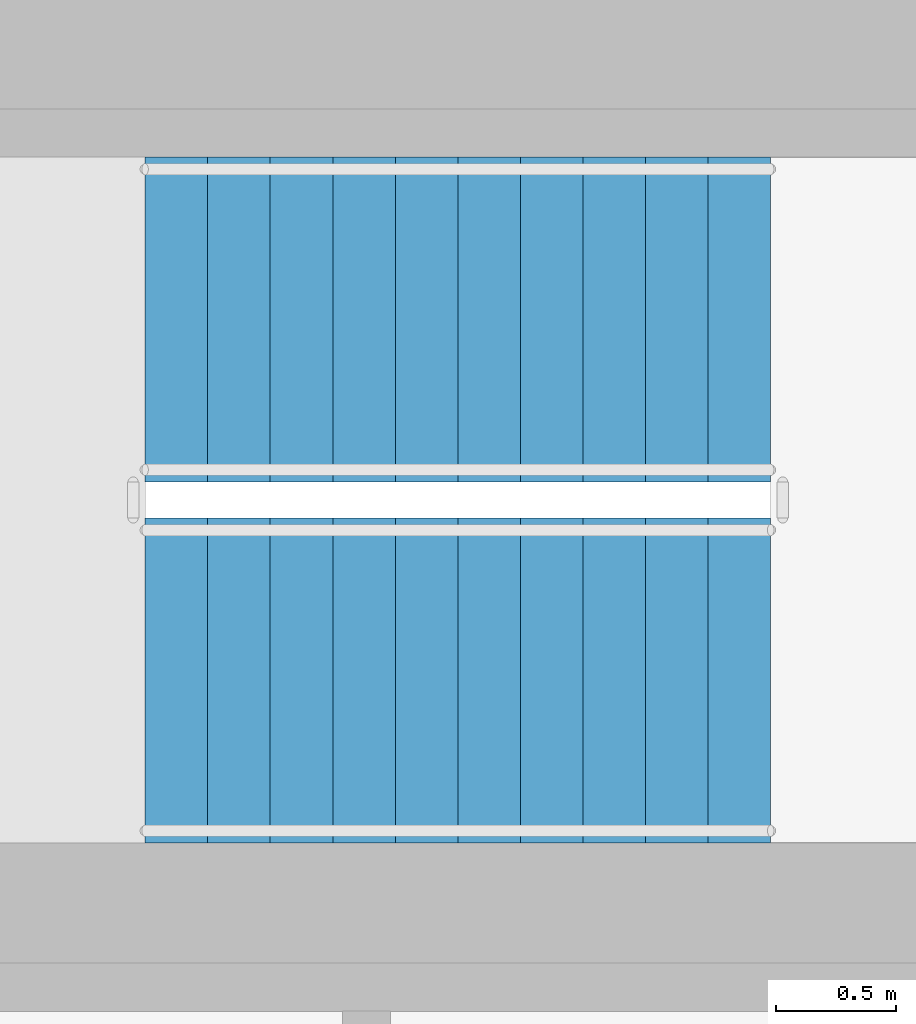
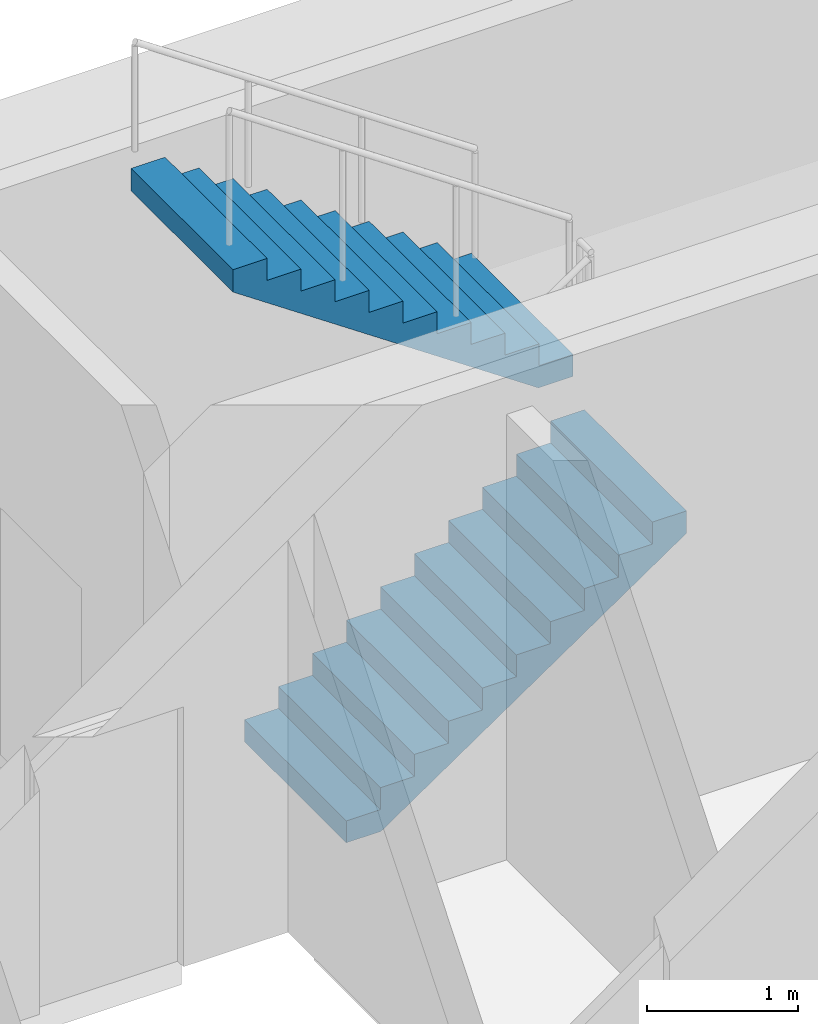
# One storey, part 7 of 9: 2 stair flights, 1 element without a shape of its own.
"""IFC4 building model written with IfcOpenShell, lengths in metres."""

from ifc_helpers import new_model, si_unit, direction, frame, origin, place, context, subcontext, project, spatial, polyline, outline, extrude, material, layer, layer_set, type_object, element, aggregate, save


model = new_model("IFC4")

# Units and contexts
model_context = context("Model", 3, precision=1e-05, world=origin(), true_north=direction((0.0, 1.0)))
body_context = subcontext(model_context, "Body", "Model", "MODEL_VIEW")
ifc_project = project(units=[si_unit("LENGTHUNIT", "METRE"), si_unit("AREAUNIT", "SQUARE_METRE"), si_unit("VOLUMEUNIT", "CUBIC_METRE"), si_unit("PLANEANGLEUNIT", "RADIAN"), si_unit("MASSUNIT", "GRAM", prefix="KILO")], contexts=[model_context])

# Site, building, storey
site_placement = place(None, origin())
site = spatial("IfcSite", under=ifc_project, at=site_placement, CompositionType="ELEMENT")
building_placement = place(site_placement, origin())
building = spatial("IfcBuilding", under=site, at=building_placement, Name="White Candle Pilgrim Tower", CompositionType="ELEMENT")
storey_placement = place(building_placement, frame((0.0, 0.0, 252.199951171875)))
storey = spatial("IfcBuildingStorey", under=building, at=storey_placement, Name="L59", CompositionType="ELEMENT", Elevation=252.199951171875)

# Stair, stair flights
ifc_material = material(Name="Concrete C40/50", Category="concrete")
stair_type = type_object("IfcStairType", Name="Exit stair 3 flight width 1350 mm", PredefinedType="HALF_TURN_STAIR", material=ifc_material)
stair_placement = place(storey_placement, origin())
stair = element("IfcStair", 1, at=stair_placement, inside=storey, type_object=stair_type, Name="L59 stair 3", PredefinedType="NOTDEFINED")
ifc_layer = layer(ifc_material, 0.14990234375)
ifc_layer_set = layer_set([ifc_layer], Name="Stair flight Concrete C40/50")
stair_flight_type = type_object("IfcStairFlightType", Name="Stair flight Concrete C40/50", PredefinedType="STRAIGHT", material=ifc_layer_set)
stair_flight_1_placement = place(storey_placement, frame((69.39990234375, 84.925048828125, 0.0), z_axis=(0.0, 0.0, 1.0), x_axis=(1.0, 0.0, 0.0)))
stair_flight_1 = element("IfcStairFlight", 2, at=stair_flight_1_placement, type_object=stair_flight_type, Name="ST3 flight 1", NumberOfRisers=11, NumberOfTreads=10, PredefinedType="NOTDEFINED", RiserHeight=0.177272727, TreadLength=0.26, context=body_context, shape_type="SweptSolid", body=[
    extrude(outline(polyline([(0.0, 0.0), (0.0, 0.17724609375), (0.260009765625, 0.17724609375), (0.260009765625, 0.3544921875), (0.52001953125, 0.3544921875), (0.52001953125, 0.53173828125), (0.780029296875, 0.53173828125), (0.780029296875, 0.708984375), (1.0400390625, 0.708984375), (1.0400390625, 0.886474609375), (1.300048828125, 0.886474609375), (1.300048828125, 1.063720703125), (1.56005859375, 1.063720703125), (1.56005859375, 1.240966796875), (1.820068359375, 1.240966796875), (1.820068359375, 1.418212890625), (2.080078125, 1.418212890625), (2.080078125, 1.595458984375), (2.340087890625, 1.595458984375), (2.340087890625, 1.772705078125), (2.60009765625, 1.772705078125), (2.60009765625, 1.949951171875), (2.60009765625, 1.59130859375), (0.26611328125, 0.0), (0.0, 0.0)])), frame((0.0, 0.675048828125, 0.0), z_axis=(0.0, -1.0, 0.0), x_axis=(1.0, 0.0, 0.0)), (0.0, 0.0, 1.0), 1.35009765625),
])
stair_flight_2_placement = place(storey_placement, frame((72.0, 86.425048828125, 1.949951171875), z_axis=(0.0, 0.0, 1.0), x_axis=(-1.0, 0.0, 0.0)))
stair_flight_2 = element("IfcStairFlight", 3, at=stair_flight_2_placement, type_object=stair_flight_type, Name="ST3 flight 2", NumberOfRisers=11, NumberOfTreads=10, PredefinedType="NOTDEFINED", RiserHeight=0.177272727, TreadLength=0.26, context=body_context, shape_type="SweptSolid", body=[
    extrude(outline(polyline([(0.0, 0.0), (0.0, 0.17724609375), (0.260009765625, 0.17724609375), (0.260009765625, 0.3544921875), (0.52001953125, 0.3544921875), (0.52001953125, 0.53173828125), (0.780029296875, 0.53173828125), (0.780029296875, 0.708984375), (1.0400390625, 0.708984375), (1.0400390625, 0.886474609375), (1.300048828125, 0.886474609375), (1.300048828125, 1.063720703125), (1.56005859375, 1.063720703125), (1.56005859375, 1.240966796875), (1.820068359375, 1.240966796875), (1.820068359375, 1.418212890625), (2.080078125, 1.418212890625), (2.080078125, 1.595458984375), (2.340087890625, 1.595458984375), (2.340087890625, 1.772705078125), (2.60009765625, 1.772705078125), (2.60009765625, 1.949951171875), (2.60009765625, 1.59130859375), (0.26611328125, 0.0), (0.0, 0.0)])), frame((0.0, 0.675048828125, 0.0), z_axis=(0.0, -1.0, 0.0), x_axis=(1.0, 0.0, 0.0)), (0.0, 0.0, 1.0), 1.35009765625),
])
aggregate(stair, [stair_flight_1, stair_flight_2])

save(model, "model.ifc")
